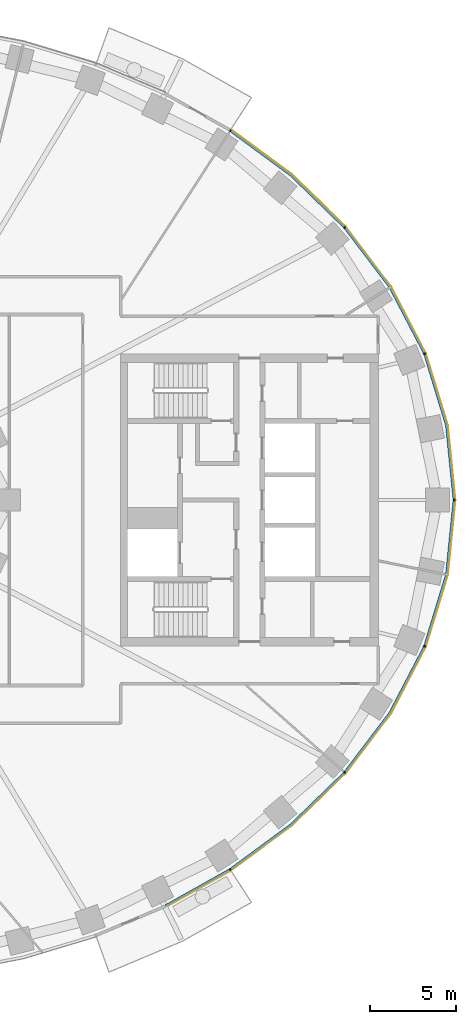
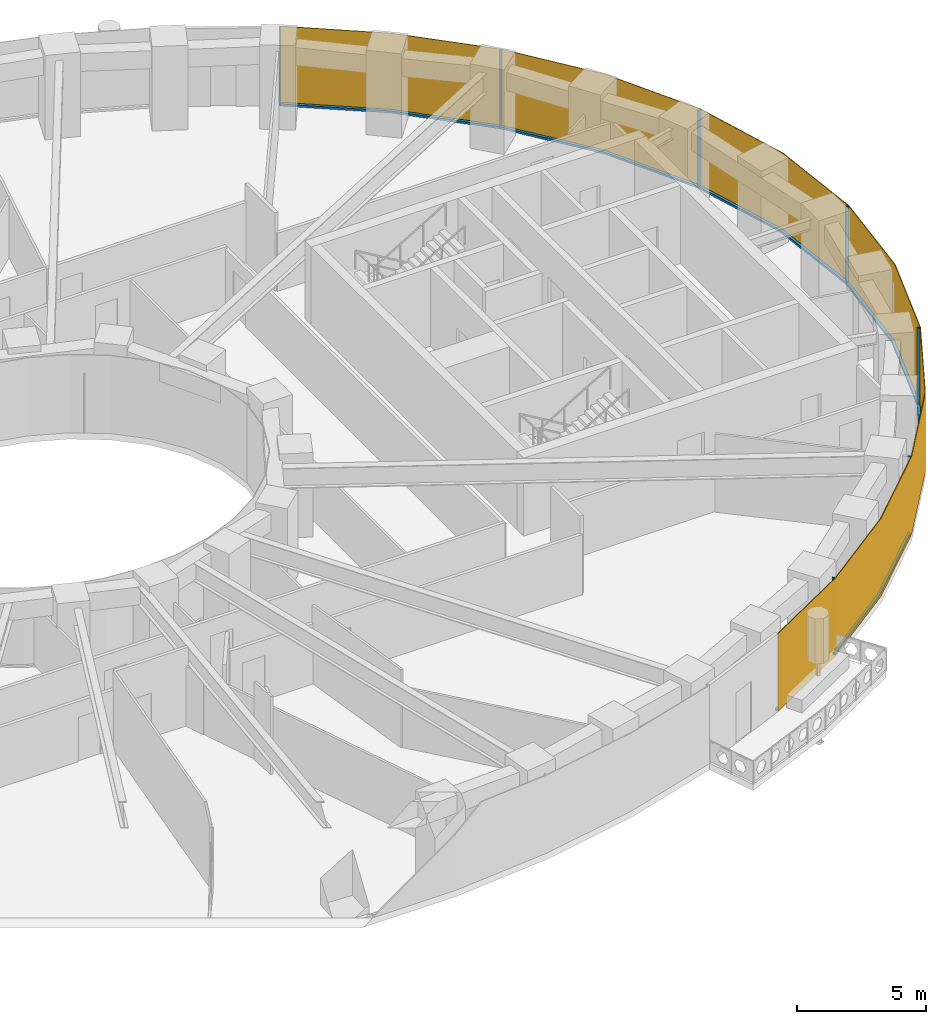
# One storey, part 11 of 15: 14 members, 1 curtain wall.
"""IFC4 building model written with IfcOpenShell, lengths in metres."""

from ifc_helpers import new_model, si_unit, direction, frame, origin, origin_2d, place, context, subcontext, project, spatial, polyline, rectangle, outline, extrude, material, layer, layer_set, material_profile, profile_set, type_object, element, aggregate, save


model = new_model("IFC4")

# Units and contexts
model_context = context("Model", 3, precision=1e-05, world=origin(), true_north=direction((0.0, 1.0)))
body_context = subcontext(model_context, "Body", "Model", "MODEL_VIEW")
ifc_project = project(units=[si_unit("LENGTHUNIT", "METRE"), si_unit("AREAUNIT", "SQUARE_METRE"), si_unit("VOLUMEUNIT", "CUBIC_METRE"), si_unit("PLANEANGLEUNIT", "RADIAN"), si_unit("MASSUNIT", "GRAM", prefix="KILO")], contexts=[model_context])

# Member
ifc_material_1 = material(Name="Aluminium 6063-T6 black anodised", Category="aluminium")
ifc_material_profile = material_profile(ifc_material_1, rectangle(XDim=0.1201171875, YDim=0.06005859375, at=origin_2d()), Name="120x60")
ifc_profile_set = profile_set([ifc_material_profile], Name="Aluminium 6063-T6 black anodised")
member_type_1 = type_object("IfcMemberType", Name="ENV-MULLION-A-120", PredefinedType="MULLION", material=ifc_profile_set)
site_placement = place(None, origin())
building_placement = place(site_placement, origin())
storey_placement = place(building_placement, frame((0.0, 0.0, 62.5)))
member_1_placement = place(storey_placement, frame((22.882568359375, -21.506591796875, 0.0), z_axis=(0.0, 0.0, 1.0), x_axis=(-0.542279153225, 0.840198381323, 0.0)))
member_1 = element("IfcMember", 1, at=member_1_placement, type_object=member_type_1, Name="Mullion A radial 41", PredefinedType="MULLION", context=body_context, shape_type="SweptSolid", body=[
    extrude(rectangle(XDim=0.1201171875, YDim=0.06005859375, at=origin_2d()), origin(), (0.0, 0.0, 1.0), 3.699951171875),
])

member_2_placement = place(storey_placement, frame((29.53857421875, -15.8671875, 0.0), z_axis=(0.0, 0.0, 1.0), x_axis=(-0.749047221705, 0.662516610853, 0.0)))
member_2 = element("IfcMember", 2, at=member_2_placement, type_object=member_type_1, Name="Mullion A radial 43", PredefinedType="MULLION", context=body_context, shape_type="SweptSolid", body=[
    extrude(rectangle(XDim=0.1201171875, YDim=0.06005859375, at=origin_2d()), origin(), (0.0, 0.0, 1.0), 3.699951171875),
])

member_3_placement = place(storey_placement, frame((34.19580078125, -8.513916015625, 0.0), z_axis=(0.0, 0.0, 1.0), x_axis=(-0.92546738067, 0.378827305398, 0.0)))
member_3 = element("IfcMember", 3, at=member_3_placement, type_object=member_type_1, Name="Mullion A radial 45", PredefinedType="MULLION", context=body_context, shape_type="SweptSolid", body=[
    extrude(rectangle(XDim=0.1201171875, YDim=0.06005859375, at=origin_2d()), origin(), (0.0, 0.0, 1.0), 3.699951171875),
])

member_4_placement = place(storey_placement, frame((35.907958984375, 0.0, 0.0), z_axis=(0.0, 0.0, 1.0), x_axis=(-1.0, 0.0, 0.0)))
member_4 = element("IfcMember", 4, at=member_4_placement, type_object=member_type_1, Name="Mullion A radial 01", PredefinedType="MULLION", context=body_context, shape_type="SweptSolid", body=[
    extrude(rectangle(XDim=0.1201171875, YDim=0.06005859375, at=origin_2d()), origin(), (0.0, 0.0, 1.0), 3.699951171875),
])

member_5_placement = place(storey_placement, frame((34.19580078125, 8.513916015625, 0.0), z_axis=(0.0, 0.0, 1.0), x_axis=(-0.92546738067, -0.378827305398, 0.0)))
member_5 = element("IfcMember", 5, at=member_5_placement, type_object=member_type_1, Name="Mullion A radial 03", PredefinedType="MULLION", context=body_context, shape_type="SweptSolid", body=[
    extrude(rectangle(XDim=0.1201171875, YDim=0.06005859375, at=origin_2d()), origin(), (0.0, 0.0, 1.0), 3.699951171875),
])

member_6_placement = place(storey_placement, frame((29.53857421875, 15.8671875, 0.0), z_axis=(0.0, 0.0, 1.0), x_axis=(-0.749047221705, -0.662516610853, 0.0)))
member_6 = element("IfcMember", 6, at=member_6_placement, type_object=member_type_1, Name="Mullion A radial 05", PredefinedType="MULLION", context=body_context, shape_type="SweptSolid", body=[
    extrude(rectangle(XDim=0.1201171875, YDim=0.06005859375, at=origin_2d()), origin(), (0.0, 0.0, 1.0), 3.699951171875),
])

member_7_placement = place(storey_placement, frame((22.882568359375, 21.506591796875, 0.0), z_axis=(0.0, 0.0, 1.0), x_axis=(-0.542279153225, -0.840198381323, 0.0)))
member_7 = element("IfcMember", 7, at=member_7_placement, type_object=member_type_1, Name="Mullion A radial 07", PredefinedType="MULLION", context=body_context, shape_type="SweptSolid", body=[
    extrude(rectangle(XDim=0.1201171875, YDim=0.06005859375, at=origin_2d()), origin(), (0.0, 0.0, 1.0), 3.699951171875),
])

ifc_material_2 = material(Name="Aluminium 6063-T6 black anodised", Category="aluminium")
member_type_2 = type_object("IfcMemberType", Name="ENV-TRANSOM-A", PredefinedType="USERDEFINED", material=ifc_material_2)
member_8_placement = place(storey_placement, origin())
member_8 = element("IfcMember", 8, at=member_8_placement, type_object=member_type_2, Name="Transom A radial 40-41", ObjectType="TRANSOM", PredefinedType="USERDEFINED", context=body_context, shape_type="SweptSolid", body=[
    extrude(outline(polyline([(19.111572265625, -23.691650390625), (22.890625, -21.570556640625), (22.825439453125, -21.469482421875), (19.058837890625, -23.58349609375), (19.111572265625, -23.691650390625)])), origin(), (0.0, 0.0, 1.0), 0.10009765625),
])

member_9_placement = place(storey_placement, origin())
member_9 = element("IfcMember", 9, at=member_9_placement, type_object=member_type_2, Name="Transom A radial 41-43", ObjectType="TRANSOM", PredefinedType="USERDEFINED", context=body_context, shape_type="SweptSolid", body=[
    extrude(outline(polyline([(22.937744140625, -21.540283203125), (26.4423828125, -18.958740234375), (29.5634765625, -15.926513671875), (29.473388671875, -15.8466796875), (26.364501953125, -18.866943359375), (22.87255859375, -21.439208984375), (22.937744140625, -21.540283203125)])), origin(), (0.0, 0.0, 1.0), 0.10009765625),
])

member_10_placement = place(storey_placement, origin())
member_10 = element("IfcMember", 10, at=member_10_placement, type_object=member_type_2, Name="Transom A radial 43-45", ObjectType="TRANSOM", PredefinedType="USERDEFINED", context=body_context, shape_type="SweptSolid", body=[
    extrude(outline(polyline([(29.6005859375, -15.884521484375), (32.22802734375, -12.41748046875), (34.23828125, -8.5615234375), (34.126708984375, -8.515869140625), (32.126220703125, -12.35302734375), (29.51025390625, -15.8046875), (29.6005859375, -15.884521484375)])), origin(), (0.0, 0.0, 1.0), 0.10009765625),
])

member_11_placement = place(storey_placement, origin())
member_11 = element("IfcMember", 11, at=member_11_placement, type_object=member_type_2, Name="Transom A radial 45-01", ObjectType="TRANSOM", PredefinedType="USERDEFINED", context=body_context, shape_type="SweptSolid", body=[
    extrude(outline(polyline([(34.259521484375, -8.509765625), (35.529541015625, -4.352294921875), (35.965087890625, -0.02783203125), (35.844482421875, -0.02783203125), (35.411376953125, -4.32861328125), (34.14794921875, -8.464111328125), (34.259521484375, -8.509765625)])), origin(), (0.0, 0.0, 1.0), 0.10009765625),
])

member_12_placement = place(storey_placement, origin())
member_12 = element("IfcMember", 12, at=member_12_placement, type_object=member_type_2, Name="Transom A radial 01-03", ObjectType="TRANSOM", PredefinedType="USERDEFINED", context=body_context, shape_type="SweptSolid", body=[
    extrude(outline(polyline([(35.965087890625, 0.02783203125), (35.529541015625, 4.352294921875), (34.259521484375, 8.509765625), (34.14794921875, 8.464111328125), (35.411376953125, 4.32861328125), (35.844482421875, 0.02783203125), (35.965087890625, 0.02783203125)])), origin(), (0.0, 0.0, 1.0), 0.10009765625),
])

member_13_placement = place(storey_placement, origin())
member_13 = element("IfcMember", 13, at=member_13_placement, type_object=member_type_2, Name="Transom A radial 03-05", ObjectType="TRANSOM", PredefinedType="USERDEFINED", context=body_context, shape_type="SweptSolid", body=[
    extrude(outline(polyline([(34.23828125, 8.5615234375), (32.22802734375, 12.41748046875), (29.6005859375, 15.884521484375), (29.51025390625, 15.8046875), (32.126220703125, 12.35302734375), (34.126708984375, 8.515869140625), (34.23828125, 8.5615234375)])), origin(), (0.0, 0.0, 1.0), 0.10009765625),
])

member_14_placement = place(storey_placement, origin())
member_14 = element("IfcMember", 14, at=member_14_placement, type_object=member_type_2, Name="Transom A radial 05-07", ObjectType="TRANSOM", PredefinedType="USERDEFINED", context=body_context, shape_type="SweptSolid", body=[
    extrude(outline(polyline([(29.5634765625, 15.926513671875), (26.4423828125, 18.958740234375), (22.937744140625, 21.540283203125), (22.87255859375, 21.439208984375), (26.364501953125, 18.866943359375), (29.473388671875, 15.8466796875), (29.5634765625, 15.926513671875)])), origin(), (0.0, 0.0, 1.0), 0.10009765625),
])

# Site, building, storey
site = spatial("IfcSite", under=ifc_project, at=site_placement, CompositionType="ELEMENT")
building = spatial("IfcBuilding", under=site, at=building_placement, Name="Noorbagh Ring Tower", CompositionType="ELEMENT")
storey = spatial("IfcBuildingStorey", under=building, at=storey_placement, Name="L13", CompositionType="ELEMENT", Elevation=62.5)

# Curtain wall
ifc_material_3 = material(Name="Glass dark tinted laminated", Category="glass")
ifc_layer = layer(ifc_material_3, 0.031982421875)
ifc_layer_set = layer_set([ifc_layer], Name="Glass dark tinted laminated")
curtain_wall_type = type_object("IfcCurtainWallType", Name="ENV-CW-A", PredefinedType="NOTDEFINED", material=ifc_layer_set)
curtain_wall_placement = place(storey_placement, origin())
curtain_wall = element("IfcCurtainWall", 15, at=curtain_wall_placement, inside=storey, type_object=curtain_wall_type, Name="Curtain wall A R40", PredefinedType="NOTDEFINED", context=body_context, shape_type="SweptSolid", body=[
    extrude(outline(polyline([(19.125732421875, -23.720458984375), (22.9326171875, -21.583740234375), (26.463134765625, -18.9833984375), (29.607666015625, -15.927978515625), (32.255126953125, -12.434814453125), (34.281005859375, -8.548828125), (35.561279296875, -4.358642578125), (36.0, 0.0), (35.561279296875, 4.358642578125), (34.281005859375, 8.548828125), (32.255126953125, 12.434814453125), (29.607666015625, 15.927978515625), (26.463134765625, 18.9833984375), (22.948486328125, 21.572021484375), (22.931396484375, 21.544921875), (26.4423828125, 18.958740234375), (29.58349609375, 15.906982421875), (32.22802734375, 12.41748046875), (34.251220703125, 8.53662109375), (35.529541015625, 4.352294921875), (35.9677734375, 0.0), (35.529541015625, -4.352294921875), (34.251220703125, -8.53662109375), (32.22802734375, -12.41748046875), (29.58349609375, -15.906982421875), (26.4423828125, -18.958740234375), (22.9150390625, -21.556884765625), (19.111572265625, -23.691650390625), (19.125732421875, -23.720458984375)])), origin(), (0.0, 0.0, 1.0), 3.699951171875),
])

aggregate(curtain_wall, [member_1, member_2, member_3, member_4, member_5, member_6, member_7, member_8, member_9, member_10, member_11, member_12, member_13, member_14])

save(model, "model.ifc")
